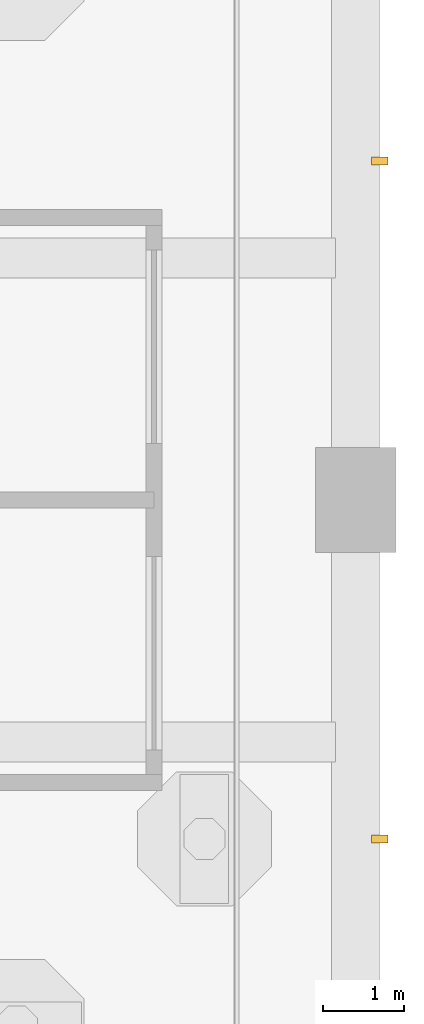
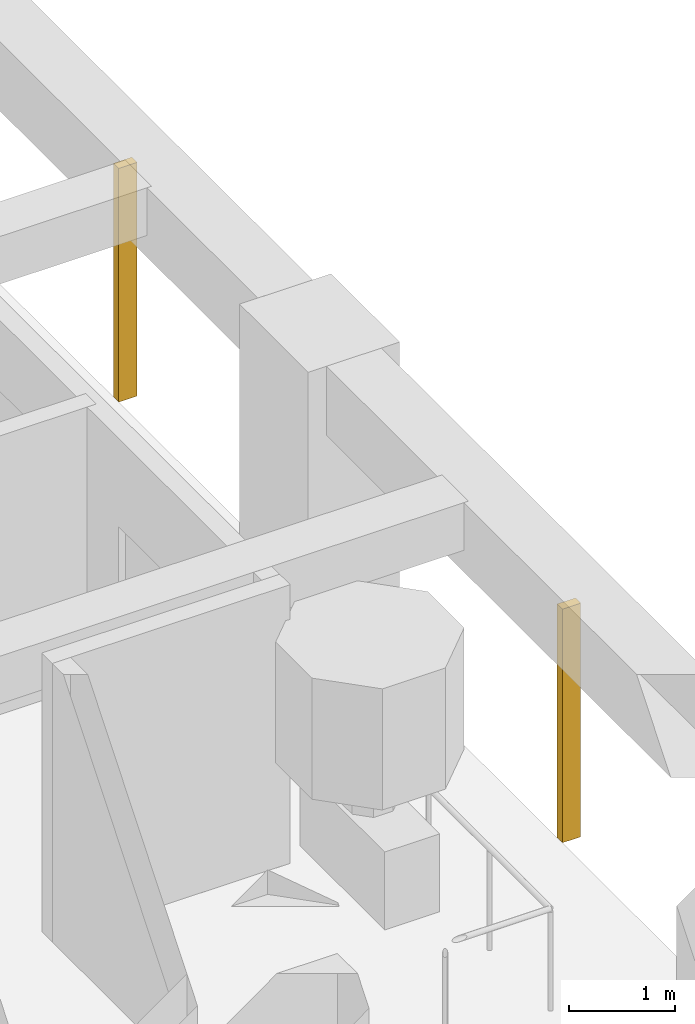
# One storey, part 15 of 18: 2 shading devices.
"""IFC4 building model written with IfcOpenShell, lengths in metres."""

import ifcopenshell
import ifcopenshell.guid

model = None  # the IFC model being written
_history = None  # IfcOwnerHistory: only IFC2X3 demands one
_inside = {}  # id of a spatial element -> (the spatial element, [elements in it])
_under = {}  # id of a project, library or spatial element -> (it, [spatial elements below it])
_declared = {}  # id of a project -> (the project, [libraries it declares])
_typed = {}  # id of a type object -> (the type object, [elements of that type])
_made_of = {}  # id of a material, layer set ... -> (it, [elements and type objects made of it])


def new_model(schema):
    """Start an empty IFC model of exactly this schema.

    Asked for "IFC4X3", IfcOpenShell would pick the latest addendum, in which some entities
    have other attributes; the version numbers below select the first issue.
    IFC2X3 requires an IfcOwnerHistory on every rooted entity: one is made here for all.
    """
    global model, _history
    if schema == "IFC4X3":
        model = ifcopenshell.file(schema_version=(4, 3, 0, 0))
    else:
        model = ifcopenshell.file(schema=schema)
    _inside.clear()
    _under.clear()
    _declared.clear()
    _typed.clear()
    _made_of.clear()
    _history = None
    if model.schema == "IFC2X3":
        org = make("IfcOrganization", Name="unknown")
        user = make(
            "IfcPersonAndOrganization",
            ThePerson=make("IfcPerson", FamilyName="unknown"),
            TheOrganization=org,
        )
        app = make(
            "IfcApplication",
            ApplicationDeveloper=org,
            Version="unknown",
            ApplicationFullName="unknown",
            ApplicationIdentifier="unknown",
        )
        _history = make(
            "IfcOwnerHistory",
            OwningUser=user,
            OwningApplication=app,
            ChangeAction="ADDED",
            CreationDate=0,
        )
    return model


def make(cls, **values):
    """One entity of the class cls with the attributes given. An attribute that is None is left unset."""
    return model.create_entity(
        cls, **{name: value for name, value in values.items() if value is not None}
    )


def rooted(cls, **values):
    """An entity with a GlobalId (a new one), such as an element, a storey or a relation."""
    return make(cls, GlobalId=ifcopenshell.guid.new(), OwnerHistory=_history, **values)


def si_unit(unit_type, name, prefix=None):
    """IfcSIUnit, for example si_unit("LENGTHUNIT", "METRE", prefix="MILLI")."""
    return make("IfcSIUnit", UnitType=unit_type, Prefix=prefix, Name=name)


def assignment(units):
    """IfcUnitAssignment: the units of a project."""
    return None if units is None else make("IfcUnitAssignment", Units=units)


def point(xyz):
    """IfcCartesianPoint."""
    return None if xyz is None else make("IfcCartesianPoint", Coordinates=xyz)


def direction(xyz):
    """IfcDirection."""
    return None if xyz is None else make("IfcDirection", DirectionRatios=xyz)


def frame(location, z_axis=None, x_axis=None):
    """IfcAxis2Placement3D, a coordinate frame: its origin and axes. An axis left out is left unset."""
    return make(
        "IfcAxis2Placement3D",
        Location=point(location),
        Axis=direction(z_axis),
        RefDirection=direction(x_axis),
    )


def frame_2d(location, x_axis=None):
    """IfcAxis2Placement2D, a coordinate frame in the plane: its origin and x axis."""
    return make(
        "IfcAxis2Placement2D", Location=point(location), RefDirection=direction(x_axis)
    )


def origin():
    """The frame at (0, 0, 0) with its axes left unset."""
    return frame((0.0, 0.0, 0.0))


def origin_2d():
    """The frame at (0, 0) in the plane with its x axis left unset."""
    return frame_2d((0.0, 0.0))


def place(relative_to, where):
    """IfcLocalPlacement: puts the frame where relative to a parent placement (None: the world)."""
    return make(
        "IfcLocalPlacement", PlacementRelTo=relative_to, RelativePlacement=where
    )


def context(
    kind, dimensions, precision=None, world=None, true_north=None, identifier=None
):
    """IfcGeometricRepresentationContext, for example the 3D "Model" context."""
    return make(
        "IfcGeometricRepresentationContext",
        ContextIdentifier=identifier,
        ContextType=kind,
        CoordinateSpaceDimension=dimensions,
        Precision=precision,
        WorldCoordinateSystem=world,
        TrueNorth=true_north,
    )


def subcontext(parent, identifier, kind, view, scale=None):
    """IfcGeometricRepresentationSubContext, for example "Body" below "Model"."""
    return make(
        "IfcGeometricRepresentationSubContext",
        ContextIdentifier=identifier,
        ContextType=kind,
        ParentContext=parent,
        TargetScale=scale,
        TargetView=view,
    )


def project(units=None, contexts=None):
    """IfcProject with its units and contexts."""
    return rooted(
        "IfcProject",
        Name="project",
        RepresentationContexts=contexts,
        UnitsInContext=assignment(units),
    )


def spatial(cls, under=None, at=None, **own):
    """A site, building, storey or space (cls), placed at a placement, below another one or the project."""
    s = rooted(cls, ObjectPlacement=at, **own)
    if under is not None:
        _under.setdefault(under.id(), (under, []))[1].append(s)
    return s


def profile(cls, at=None, kind="AREA", **sizes):
    """A parametric profile (cls). Its sizes go by their IFC names, for example OverallWidth=200.0."""
    return make(cls, ProfileType=kind, Position=at, **sizes)


def rectangle(**sizes):
    """IfcRectangleProfileDef."""
    return profile("IfcRectangleProfileDef", **sizes)


def extrude(swept, where, along, depth):
    """IfcExtrudedAreaSolid: the profile swept, set in the frame where, extruded along a direction by depth."""
    return make(
        "IfcExtrudedAreaSolid",
        SweptArea=swept,
        Position=where,
        ExtrudedDirection=direction(along),
        Depth=depth,
    )


def shape(context_of_items, identifier, shape_type, items):
    """IfcShapeRepresentation: the items that make up one representation, for example the "Body"."""
    return make(
        "IfcShapeRepresentation",
        ContextOfItems=context_of_items,
        RepresentationIdentifier=identifier,
        RepresentationType=shape_type,
        Items=items,
    )


def material(Name=None, Category=None):
    """IfcMaterial."""
    return make("IfcMaterial", Name=Name, Category=Category)


def material_profile(
    of_material, cross_section, Name=None, Category=None, Priority=None
):
    """IfcMaterialProfile: a cross section and its material."""
    return make(
        "IfcMaterialProfile",
        Name=Name,
        Material=of_material,
        Profile=cross_section,
        Priority=Priority,
        Category=Category,
    )


def profile_set(profiles, Name=None, composite=None):
    """IfcMaterialProfileSet."""
    return make(
        "IfcMaterialProfileSet",
        Name=Name,
        MaterialProfiles=profiles,
        CompositeProfile=composite,
    )


def made_of(thing, what):
    """Note that an element or type object is made of a material, layer set ...; save() writes the relation."""
    if what is not None:
        _made_of.setdefault(what.id(), (what, []))[1].append(thing)
    return thing


def type_object(cls, material=None, **own):
    """A type object (cls), such as IfcWallType, which elements share."""
    return made_of(rooted(cls, **own), material)


def element(
    cls,
    number,
    at=None,
    inside=None,
    cuts=None,
    type_object=None,
    material=None,
    context=None,
    identifier="Body",
    shape_type=None,
    held_by="IfcProductDefinitionShape",
    body=None,
    shapes=None,
    **own,
):
    """One element of the class cls, such as IfcWall. Its Tag is "e" and its number.

    at: its placement. inside: the storey or other place that contains it. cuts: it is an
    opening in that element (IfcRelVoidsElement). A single representation is given by context,
    identifier, shape_type and body (its items); several are given by shapes. held_by: the class
    of the entity that holds the representations. save() writes the other relations.
    """
    e = rooted(cls, Tag="e%d" % number, ObjectPlacement=at, **own)
    if body is not None:
        shapes = [shape(context, identifier, shape_type, body)]
    if shapes is not None:
        e.Representation = make(held_by, Representations=shapes)
    if inside is not None:
        _inside.setdefault(inside.id(), (inside, []))[1].append(e)
    if cuts is not None:
        rooted(
            "IfcRelVoidsElement", RelatingBuildingElement=cuts, RelatedOpeningElement=e
        )
    if type_object is not None:
        _typed.setdefault(type_object.id(), (type_object, []))[1].append(e)
    return made_of(e, material)


def aggregate(whole, parts):
    """IfcRelAggregates: a whole, such as a stair, and the parts it consists of."""
    return rooted("IfcRelAggregates", RelatingObject=whole, RelatedObjects=parts)


def save(model, path):
    """Write the relations noted so far, then the file.

    IfcRelAggregates (storeys below a building ...), IfcRelContainedInSpatialStructure (elements
    in a storey), IfcRelDefinesByType, IfcRelAssociatesMaterial and IfcRelDeclares: one each for
    every whole, place, type object, material and project.
    """
    for whole, parts in _under.values():
        aggregate(whole, parts)
    for where, things in _inside.values():
        rooted(
            "IfcRelContainedInSpatialStructure",
            RelatedElements=things,
            RelatingStructure=where,
        )
    for kind, things in _typed.values():
        rooted("IfcRelDefinesByType", RelatedObjects=things, RelatingType=kind)
    for what, things in _made_of.values():
        rooted("IfcRelAssociatesMaterial", RelatedObjects=things, RelatingMaterial=what)
    for by, libraries in _declared.values():
        rooted("IfcRelDeclares", RelatingContext=by, RelatedDefinitions=libraries)
    model.write(path)


model = new_model("IFC4")

# Units and contexts
model_context = context("Model", 3, precision=1e-05, world=origin(), true_north=direction((0.0, 1.0)))
body_context = subcontext(model_context, "Body", "Model", "MODEL_VIEW")
ifc_project = project(units=[si_unit("LENGTHUNIT", "METRE"), si_unit("AREAUNIT", "SQUARE_METRE"), si_unit("VOLUMEUNIT", "CUBIC_METRE"), si_unit("PLANEANGLEUNIT", "RADIAN"), si_unit("MASSUNIT", "GRAM", prefix="KILO")], contexts=[model_context])

# Site, building, storey
site_placement = place(None, origin())
site = spatial("IfcSite", under=ifc_project, at=site_placement, CompositionType="ELEMENT")
building_placement = place(site_placement, origin())
building = spatial("IfcBuilding", under=site, at=building_placement, Name="Vermilion Gate Residences", CompositionType="ELEMENT")
storey_placement = place(building_placement, frame((0.0, 0.0, 109.199951171875)))
storey = spatial("IfcBuildingStorey", under=building, at=storey_placement, Name="L27", CompositionType="ELEMENT", Elevation=109.199951171875)

# Shading devices
ifc_material = material(Name="Extruded terracotta", Category="masonry")
ifc_material_profile = material_profile(ifc_material, rectangle(XDim=0.199951171875, YDim=0.10009765625, at=origin_2d()), Name="BAGUETTE 100 X 200")
ifc_profile_set = profile_set([ifc_material_profile], Name="Extruded terracotta")
shading_device_type = type_object("IfcShadingDeviceType", Name="TERRACOTTA BAGUETTE 100 X 200", PredefinedType="JALOUSIE", material=ifc_profile_set)
for number, where, z_axis, x_axis, name in (
    (1, (67.5, 12.60009765625, -0.280029296875), (0.0, 0.0, 1.0), (-1.0, 0.0, 0.0), "BAGUETTE"),
    (2, (67.5, 21.0, -0.280029296875), (0.0, 0.0, 1.0), (-1.0, 0.0, 0.0), "BAGUETTE"),
):
    element("IfcShadingDevice", number, at=place(storey_placement, frame(where, z_axis=z_axis, x_axis=x_axis)), inside=storey, type_object=shading_device_type, Name=name, PredefinedType="JALOUSIE", context=body_context, shape_type="SweptSolid", body=[
        extrude(rectangle(XDim=0.199951171875, YDim=0.10009765625, at=origin_2d()), origin(), (0.0, 0.0, 1.0), 2.7001953125),
    ])

save(model, "model.ifc")
